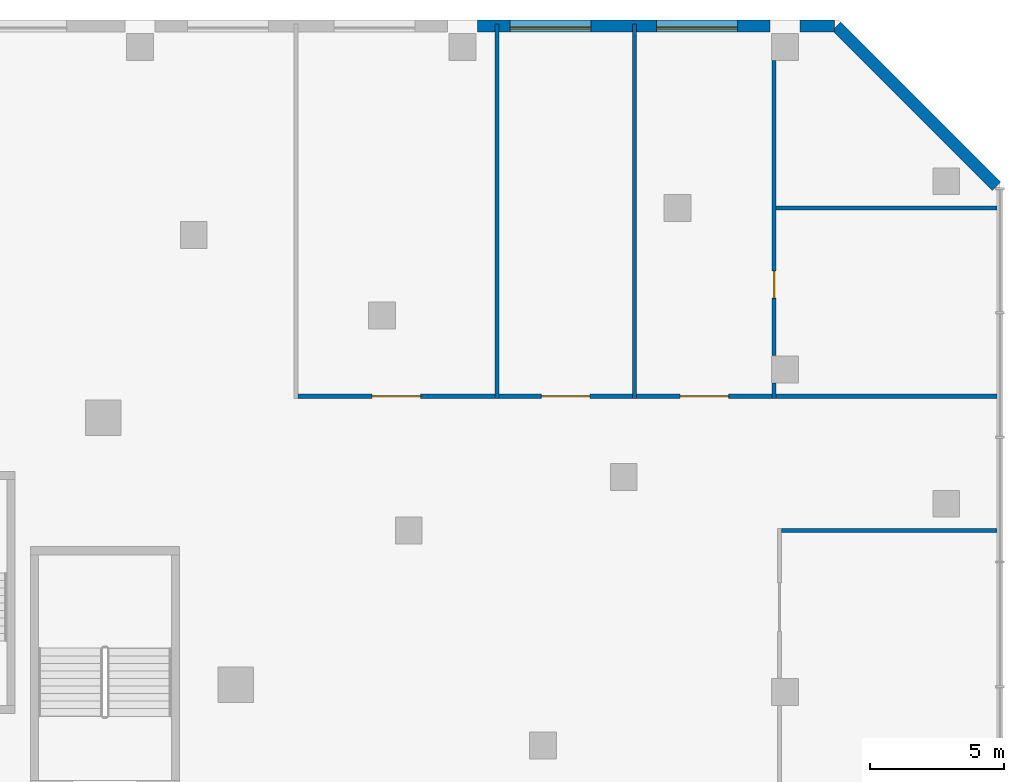
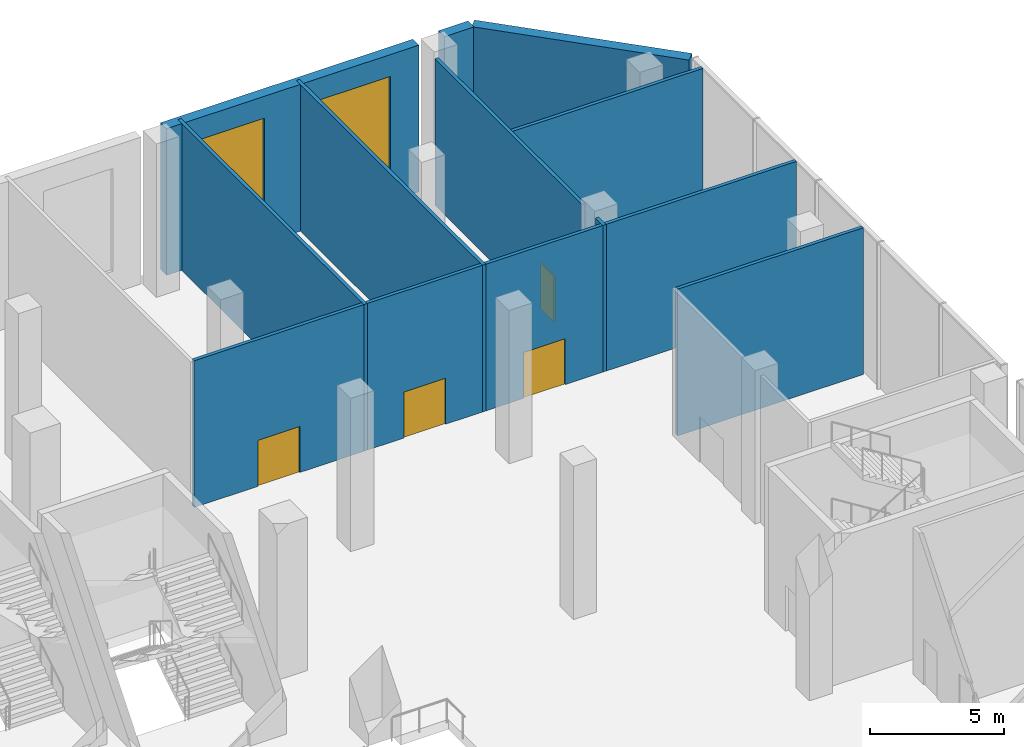
# One storey, part 27 of 41: 13 walls, 4 doors, 2 windows, 6 openings.
"""IFC4 building model written with IfcOpenShell, lengths in metres."""

from ifc_helpers import new_model, si_unit, direction, frame, frame_2d, origin, place, context, subcontext, project, spatial, rectangle, extrude, material, layer, layer_set, type_object, element, fill, save


model = new_model("IFC4")

# Units and contexts
model_context = context("Model", 3, precision=1e-05, world=origin(), true_north=direction((0.0, 1.0)))
body_context = subcontext(model_context, "Body", "Model", "MODEL_VIEW")
ifc_project = project(units=[si_unit("LENGTHUNIT", "METRE"), si_unit("AREAUNIT", "SQUARE_METRE"), si_unit("VOLUMEUNIT", "CUBIC_METRE"), si_unit("PLANEANGLEUNIT", "RADIAN"), si_unit("MASSUNIT", "GRAM", prefix="KILO")], contexts=[model_context])

# Site, building, storey
site_placement = place(None, origin())
site = spatial("IfcSite", under=ifc_project, at=site_placement, CompositionType="ELEMENT")
building_placement = place(site_placement, origin())
building = spatial("IfcBuilding", under=site, at=building_placement, Name="Wharfspan Tower", CompositionType="ELEMENT")
storey_placement = place(building_placement, frame((0.0, 0.0, 8.0)))
storey = spatial("IfcBuildingStorey", under=building, at=storey_placement, Name="L01", CompositionType="ELEMENT", Elevation=8.0)

# Wall
ifc_material_1 = material(Name="Calcium silicate masonry", Category="masonry")
ifc_layer_1 = layer(ifc_material_1, 0.149902)
ifc_layer_set_1 = layer_set([ifc_layer_1], Name="Calcium silicate masonry")
wall_type_1 = type_object("IfcWallType", Name="Podium room wall 150", PredefinedType="PARTITIONING", material=ifc_layer_set_1)
wall_1_placement = place(storey_placement, frame((99.875, 37.0, 0.0), z_axis=(0.0, 0.0, 1.0), x_axis=(1.0, 0.0, 0.0)))
element("IfcWall", 1, at=wall_1_placement, inside=storey, type_object=wall_type_1, Name="iw:L01:33", PredefinedType="PARTITIONING", context=body_context, shape_type="SweptSolid", body=[
    extrude(rectangle(XDim=8.02002, YDim=0.149902, at=frame_2d((4.01001, 0.0))), origin(), (0.0, 0.0, 1.0), 6.699951),
])

# Wall, opening, door
wall_2_placement = place(storey_placement, frame((81.875, 42.0, 0.0), z_axis=(0.0, 0.0, 1.0), x_axis=(1.0, 0.0, 0.0)))
wall_2 = element("IfcWall", 2, at=wall_2_placement, inside=storey, type_object=wall_type_1, Name="iw:L01:34", PredefinedType="PARTITIONING", context=body_context, shape_type="SweptSolid", body=[
    extrude(rectangle(XDim=7.330078, YDim=0.149902, at=frame_2d((3.665039, 0.0))), origin(), (0.0, 0.0, 1.0), 6.699951),
])
opening_1_placement = place(wall_2_placement, frame((2.764893, 0.0, 0.0)))
opening_1 = element("IfcOpeningElement", 3, at=opening_1_placement, cuts=wall_2, Name="Opening PD01.22", PredefinedType="OPENING", context=body_context, shape_type="SweptSolid", body=[
    extrude(rectangle(XDim=1.800049, YDim=2.100098, at=frame_2d((0.899902, 1.050049))), frame((0.0, 0.084961, 0.0), z_axis=(0.0, -1.0, 0.0), x_axis=(1.0, 0.0, 0.0)), (0.0, 0.0, 1.0), 0.169922),
])
ifc_material_2 = material(Name="Steel door leaf", Category="steel")
door_type_1 = type_object("IfcDoorType", Name="Podium double door 1800x2100", OperationType="DOUBLE_DOOR_SINGLE_SWING", PredefinedType="DOOR", material=ifc_material_2)
door_1_placement = place(opening_1_placement, origin())
door_1 = element("IfcDoor", 4, at=door_1_placement, inside=storey, type_object=door_type_1, Name="id:L01:22", OperationType="DOUBLE_DOOR_SINGLE_SWING", OverallHeight=2.100098, OverallWidth=1.800049, PredefinedType="DOOR", context=body_context, shape_type="SweptSolid", body=[
    extrude(rectangle(XDim=1.800049, YDim=2.100098, at=frame_2d((0.899902, 1.050049))), frame((0.0, 0.024902, 0.0), z_axis=(0.0, -1.0, 0.0), x_axis=(1.0, 0.0, 0.0)), (0.0, 0.0, 1.0), 0.050049),
])
fill(opening_1, door_1)

wall_3_placement = place(storey_placement, frame((89.35498, 42.0, 0.0), z_axis=(0.0, 0.0, 1.0), x_axis=(1.0, 0.0, 0.0)))
wall_3 = element("IfcWall", 5, at=wall_3_placement, inside=storey, type_object=wall_type_1, Name="iw:L01:35", PredefinedType="PARTITIONING", context=body_context, shape_type="SweptSolid", body=[
    extrude(rectangle(XDim=4.969971, YDim=0.149902, at=frame_2d((2.484863, 0.0))), origin(), (0.0, 0.0, 1.0), 6.699951),
])
opening_2_placement = place(wall_3_placement, frame((1.584961, 0.0, 0.0)))
opening_2 = element("IfcOpeningElement", 6, at=opening_2_placement, cuts=wall_3, Name="Opening PD01.23", PredefinedType="OPENING", context=body_context, shape_type="SweptSolid", body=[
    extrude(rectangle(XDim=1.800049, YDim=2.100098, at=frame_2d((0.899902, 1.050049))), frame((0.0, 0.084961, 0.0), z_axis=(0.0, -1.0, 0.0), x_axis=(1.0, 0.0, 0.0)), (0.0, 0.0, 1.0), 0.169922),
])
door_2_placement = place(opening_2_placement, origin())
door_2 = element("IfcDoor", 7, at=door_2_placement, inside=storey, type_object=door_type_1, Name="id:L01:23", OperationType="DOUBLE_DOOR_SINGLE_SWING", OverallHeight=2.100098, OverallWidth=1.800049, PredefinedType="DOOR", context=body_context, shape_type="SweptSolid", body=[
    extrude(rectangle(XDim=1.800049, YDim=2.100098, at=frame_2d((0.899902, 1.050049))), frame((0.0, 0.024902, 0.0), z_axis=(0.0, -1.0, 0.0), x_axis=(1.0, 0.0, 0.0)), (0.0, 0.0, 1.0), 0.050049),
])
fill(opening_2, door_2)

wall_4_placement = place(storey_placement, frame((94.475098, 42.0, 0.0), z_axis=(0.0, 0.0, 1.0), x_axis=(1.0, 0.0, 0.0)))
wall_4 = element("IfcWall", 8, at=wall_4_placement, inside=storey, type_object=wall_type_1, Name="iw:L01:36", PredefinedType="PARTITIONING", context=body_context, shape_type="SweptSolid", body=[
    extrude(rectangle(XDim=5.049805, YDim=0.149902, at=frame_2d((2.524902, 0.0))), origin(), (0.0, 0.0, 1.0), 6.699951),
])
opening_3_placement = place(wall_4_placement, frame((1.625, 0.0, 0.0)))
opening_3 = element("IfcOpeningElement", 9, at=opening_3_placement, cuts=wall_4, Name="Opening PD01.24", PredefinedType="OPENING", context=body_context, shape_type="SweptSolid", body=[
    extrude(rectangle(XDim=1.800049, YDim=2.100098, at=frame_2d((0.899902, 1.050049))), frame((0.0, 0.084961, 0.0), z_axis=(0.0, -1.0, 0.0), x_axis=(1.0, 0.0, 0.0)), (0.0, 0.0, 1.0), 0.169922),
])
door_3_placement = place(opening_3_placement, origin())
door_3 = element("IfcDoor", 10, at=door_3_placement, inside=storey, type_object=door_type_1, Name="id:L01:24", OperationType="DOUBLE_DOOR_SINGLE_SWING", OverallHeight=2.100098, OverallWidth=1.800049, PredefinedType="DOOR", context=body_context, shape_type="SweptSolid", body=[
    extrude(rectangle(XDim=1.800049, YDim=2.100098, at=frame_2d((0.899902, 1.050049))), frame((0.0, 0.024902, 0.0), z_axis=(0.0, -1.0, 0.0), x_axis=(1.0, 0.0, 0.0)), (0.0, 0.0, 1.0), 0.050049),
])
fill(opening_3, door_3)

# Walls
for number, where, z_axis, x_axis, name in (
    (11, (99.675049, 42.0, 0.0), (0.0, 0.0, 1.0), (1.0, 0.0, 0.0), "iw:L01:37"),
    (12, (99.675049, 49.0, 0.0), (0.0, 0.0, 1.0), (1.0, 0.0, 0.0), "iw:L01:38"),
):
    element("IfcWall", number, at=place(storey_placement, frame(where, z_axis=z_axis, x_axis=x_axis)), inside=storey, type_object=wall_type_1, Name=name, PredefinedType="PARTITIONING", context=body_context, shape_type="SweptSolid", body=[
        extrude(rectangle(XDim=8.219971, YDim=0.149902, at=frame_2d((4.109863, 0.0))), origin(), (0.0, 0.0, 1.0), 6.699951),
    ])
wall_5_placement = place(storey_placement, frame((99.600098, 41.925049, 0.0), z_axis=(0.0, 0.0, 1.0), x_axis=(0.0, 1.0, 0.0)))
element("IfcWall", 13, at=wall_5_placement, inside=storey, type_object=wall_type_1, Name="iw:L01:39", PredefinedType="PARTITIONING", context=body_context, shape_type="SweptSolid", body=[
    extrude(rectangle(XDim=0.564941, YDim=0.149902, at=frame_2d((0.282471, 0.0))), origin(), (0.0, 0.0, 1.0), 6.699951),
])

# Wall, opening, door
wall_6_placement = place(storey_placement, frame((99.600098, 43.51001, 0.0), z_axis=(0.0, 0.0, 1.0), x_axis=(0.0, 1.0, 0.0)))
wall_6 = element("IfcWall", 14, at=wall_6_placement, inside=storey, type_object=wall_type_1, Name="iw:L01:40", PredefinedType="PARTITIONING", context=body_context, shape_type="SweptSolid", body=[
    extrude(rectangle(XDim=10.97998, YDim=0.149902, at=frame_2d((5.48999, 0.0))), origin(), (0.0, 0.0, 1.0), 6.699951),
])
opening_4_placement = place(wall_6_placement, frame((2.14502, 0.0, 0.0)))
opening_4 = element("IfcOpeningElement", 15, at=opening_4_placement, cuts=wall_6, Name="Opening PD01.20", PredefinedType="OPENING", context=body_context, shape_type="SweptSolid", body=[
    extrude(rectangle(XDim=1.0, YDim=2.100098, at=frame_2d((0.5, 1.050049))), frame((0.0, 0.084961, 0.0), z_axis=(0.0, -1.0, 0.0), x_axis=(1.0, 0.0, 0.0)), (0.0, 0.0, 1.0), 0.169922),
])
door_type_2 = type_object("IfcDoorType", Name="Podium room door 1000x2100", OperationType="SINGLE_SWING_LEFT", PredefinedType="DOOR", material=ifc_material_2)
door_4_placement = place(opening_4_placement, origin())
door_4 = element("IfcDoor", 16, at=door_4_placement, inside=storey, type_object=door_type_2, Name="id:L01:20", OperationType="SINGLE_SWING_LEFT", OverallHeight=2.100098, OverallWidth=1.0, PredefinedType="DOOR", context=body_context, shape_type="SweptSolid", body=[
    extrude(rectangle(XDim=1.0, YDim=2.100098, at=frame_2d((0.5, 1.050049))), frame((0.0, 0.024902, 0.0), z_axis=(0.0, -1.0, 0.0), x_axis=(1.0, 0.0, 0.0)), (0.0, 0.0, 1.0), 0.050049),
])
fill(opening_4, door_4)

# Walls
for number, where, z_axis, x_axis, name in (
    (17, (89.280029, 41.925049, 0.0), (0.0, 0.0, 1.0), (0.0, 1.0, 0.0), "iw:L01:47"),
    (18, (94.399902, 41.925049, 0.0), (0.0, 0.0, 1.0), (0.0, 1.0, 0.0), "iw:L01:49"),
):
    element("IfcWall", number, at=place(storey_placement, frame(where, z_axis=z_axis, x_axis=x_axis)), inside=storey, type_object=wall_type_1, Name=name, PredefinedType="PARTITIONING", context=body_context, shape_type="SweptSolid", body=[
        extrude(rectangle(XDim=13.925049, YDim=0.149902, at=frame_2d((6.962402, 0.0))), origin(), (0.0, 0.0, 1.0), 6.699951),
    ])
ifc_material_3 = material(Name="Concrete C40/50", Category="concrete")
ifc_layer_2 = layer(ifc_material_3, 0.449951)
ifc_layer_set_2 = layer_set([ifc_layer_2], Name="Concrete C40/50")
wall_type_2 = type_object("IfcWallType", Name="WALL BOARD-MARKED CONCRETE 450", PredefinedType="SOLIDWALL", material=ifc_layer_set_2)
wall_7_placement = place(storey_placement, frame((107.869141, 49.8125, 0.0), z_axis=(0.0, 0.0, 1.0), x_axis=(-0.707092, 0.707121, 0.0)))
element("IfcWall", 19, at=wall_7_placement, inside=storey, type_object=wall_type_2, Name="Podium wall PF4", PredefinedType="SOLIDWALL", context=body_context, shape_type="SweptSolid", body=[
    extrude(rectangle(XDim=8.425293, YDim=0.449951, at=frame_2d((4.212646, 0.0))), origin(), (0.0, 0.0, 1.0), 6.699951),
])

# Wall, openings, windows
wall_8_placement = place(storey_placement, frame((99.449951, 55.774902, 0.0), z_axis=(0.0, 0.0, 1.0), x_axis=(-1.0, 0.0, 0.0)))
wall_8 = element("IfcWall", 20, at=wall_8_placement, inside=storey, type_object=wall_type_2, Name="Podium wall PF5", PredefinedType="SOLIDWALL", context=body_context, shape_type="SweptSolid", body=[
    extrude(rectangle(XDim=10.899902, YDim=0.449951, at=frame_2d((5.449951, 0.0))), origin(), (0.0, 0.0, 1.0), 6.699951),
])
opening_5_placement = place(wall_8_placement, frame((1.225098, 0.0, 1.0)))
opening_5 = element("IfcOpeningElement", 21, at=opening_5_placement, cuts=wall_8, Name="Opening EWN1", PredefinedType="OPENING", context=body_context, shape_type="SweptSolid", body=[
    extrude(rectangle(XDim=3.0, YDim=4.699951, at=frame_2d((1.5, 2.350098))), frame((0.0, 0.234863, 0.0), z_axis=(0.0, -1.0, 0.0), x_axis=(1.0, 0.0, 0.0)), (0.0, 0.0, 1.0), 0.469971),
])
opening_6_placement = place(wall_8_placement, frame((6.675049, 0.0, 1.0)))
opening_6 = element("IfcOpeningElement", 22, at=opening_6_placement, cuts=wall_8, Name="Opening EWN1", PredefinedType="OPENING", context=body_context, shape_type="SweptSolid", body=[
    extrude(rectangle(XDim=3.0, YDim=4.699951, at=frame_2d((1.5, 2.350098))), frame((0.0, 0.234863, 0.0), z_axis=(0.0, -1.0, 0.0), x_axis=(1.0, 0.0, 0.0)), (0.0, 0.0, 1.0), 0.469971),
])
ifc_material_4 = material(Name="Aluminium 6063-T6", Category="aluminium")
window_type = type_object("IfcWindowType", Name="WINDOW 3000x4700", PartitioningType="SINGLE_PANEL", PredefinedType="WINDOW", material=ifc_material_4)
window_1_placement = place(opening_5_placement, origin())
window_1 = element("IfcWindow", 23, at=window_1_placement, inside=storey, type_object=window_type, Name="Podium window", OverallHeight=4.699951, OverallWidth=3.0, PartitioningType="SINGLE_PANEL", PredefinedType="WINDOW", context=body_context, shape_type="SweptSolid", body=[
    extrude(rectangle(XDim=3.0, YDim=4.699951, at=frame_2d((1.5, 2.350098))), frame((0.0, 0.10498, 0.0), z_axis=(0.0, -1.0, 0.0), x_axis=(1.0, 0.0, 0.0)), (0.0, 0.0, 1.0), 0.060059),
])
fill(opening_5, window_1)
window_2_placement = place(opening_6_placement, origin())
window_2 = element("IfcWindow", 24, at=window_2_placement, inside=storey, type_object=window_type, Name="Podium window", OverallHeight=4.699951, OverallWidth=3.0, PartitioningType="SINGLE_PANEL", PredefinedType="WINDOW", context=body_context, shape_type="SweptSolid", body=[
    extrude(rectangle(XDim=3.0, YDim=4.699951, at=frame_2d((1.5, 2.350098))), frame((0.0, 0.10498, 0.0), z_axis=(0.0, -1.0, 0.0), x_axis=(1.0, 0.0, 0.0)), (0.0, 0.0, 1.0), 0.060059),
])
fill(opening_6, window_2)

# Wall
wall_9_placement = place(storey_placement, frame((101.840088, 55.774902, 0.0), z_axis=(0.0, 0.0, 1.0), x_axis=(-1.0, 0.0, 0.0)))
element("IfcWall", 25, at=wall_9_placement, inside=storey, type_object=wall_type_2, Name="Podium wall PF5", PredefinedType="SOLIDWALL", context=body_context, shape_type="SweptSolid", body=[
    extrude(rectangle(XDim=1.290039, YDim=0.449951, at=frame_2d((0.64502, 0.0))), origin(), (0.0, 0.0, 1.0), 6.699951),
])

save(model, "model.ifc")
